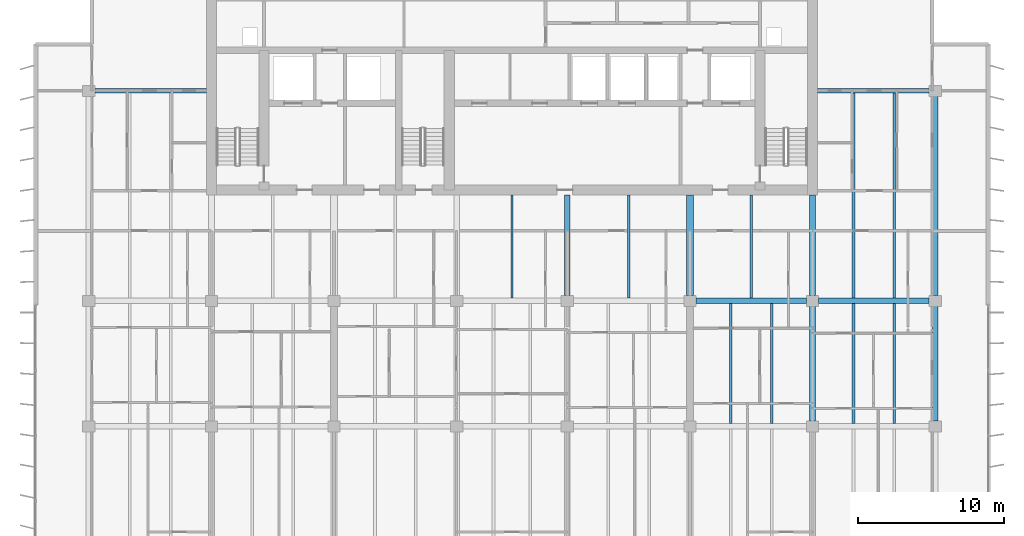
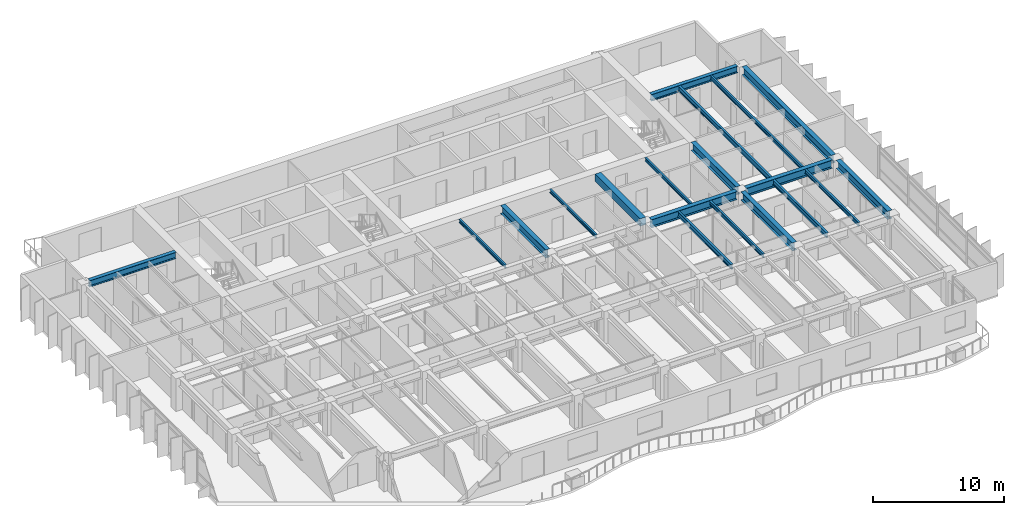
# One storey, part 5 of 19: 19 beams.
"""IFC4 building model written with IfcOpenShell, lengths in metres."""

from ifc_helpers import new_model, si_unit, direction, frame, origin, origin_2d, place, context, subcontext, project, spatial, rectangle, i_section, extrude, material, material_profile, profile_set, type_object, element, save


model = new_model("IFC4")

# Units and contexts
model_context = context("Model", 3, precision=1e-05, world=origin(), true_north=direction((0.0, 1.0)))
body_context = subcontext(model_context, "Body", "Model", "MODEL_VIEW")
ifc_project = project(units=[si_unit("LENGTHUNIT", "METRE"), si_unit("AREAUNIT", "SQUARE_METRE"), si_unit("VOLUMEUNIT", "CUBIC_METRE"), si_unit("PLANEANGLEUNIT", "RADIAN"), si_unit("MASSUNIT", "GRAM", prefix="KILO")], contexts=[model_context])

# Site, building, storey
site_placement = place(None, origin())
site = spatial("IfcSite", under=ifc_project, at=site_placement, CompositionType="ELEMENT")
building_placement = place(site_placement, origin())
building = spatial("IfcBuilding", under=site, at=building_placement, Name="Caelmar Bay Residences", CompositionType="ELEMENT")
storey_placement = place(building_placement, frame((0.0, 0.0, 160.5)))
storey = spatial("IfcBuildingStorey", under=building, at=storey_placement, Name="L44", CompositionType="ELEMENT", Elevation=160.5)

# Beams
ifc_material_1 = material(Name="Steel ASTM A992 Grade 50", Category="steel")
ifc_material_profile_1 = material_profile(ifc_material_1, i_section(OverallWidth=0.381103515625, OverallDepth=0.77197265625, WebThickness=0.0166015625, FlangeThickness=0.027099609375, FilletRadius=0.0166015625, at=origin_2d()), Name="W30X173")
ifc_profile_set_1 = profile_set([ifc_material_profile_1], Name="Steel ASTM A992 Grade 50")
beam_type_1 = type_object("IfcBeamType", Name="BM-GRD-W30X173", PredefinedType="BEAM", material=ifc_profile_set_1)
for number, where, z_axis, x_axis, name in (
    (1, (51.514892578125, 29.39990234375, 2.6640625), (1.0, 0.0, 0.0), (0.0, 1.0, 0.0), "L44 East-West Girder Y=29.40 (51.1-59.5)"),
    (2, (59.9150390625, 29.39990234375, 2.6640625), (1.0, 0.0, 0.0), (0.0, 1.0, 0.0), "L44 East-West Girder Y=29.40 (59.5-67.9)"),
):
    element("IfcBeam", number, at=place(storey_placement, frame(where, z_axis=z_axis, x_axis=x_axis)), inside=storey, type_object=beam_type_1, Name=name, PredefinedType="BEAM", context=body_context, shape_type="SweptSolid", body=[
        extrude(i_section(OverallWidth=0.381103515625, OverallDepth=0.77197265625, WebThickness=0.0166015625, FlangeThickness=0.027099609375, FilletRadius=0.0166015625, at=origin_2d()), origin(), (0.0, 0.0, 1.0), 7.570068359375),
    ])
for number, where, z_axis, x_axis, name in (
    (3, (42.699951171875, 29.764892578125, 2.6640625), (0.0, 1.0, 0.0), (-1.0, 0.0, 0.0), "L44 Core Tie Girder X=42.70"),
    (4, (59.5, 29.764892578125, 2.6640625), (0.0, 1.0, 0.0), (-1.0, 0.0, 0.0), "L44 Core Tie Girder X=59.50"),
):
    element("IfcBeam", number, at=place(storey_placement, frame(where, z_axis=z_axis, x_axis=x_axis)), inside=storey, type_object=beam_type_1, Name=name, PredefinedType="BEAM", context=body_context, shape_type="SweptSolid", body=[
        extrude(i_section(OverallWidth=0.381103515625, OverallDepth=0.77197265625, WebThickness=0.0166015625, FlangeThickness=0.027099609375, FilletRadius=0.0166015625, at=origin_2d()), origin(), (0.0, 0.0, 1.0), 6.885009765625),
    ])
for number, where, z_axis, x_axis, name in (
    (5, (59.5, 21.1650390625, 2.6640625), (0.0, 1.0, 0.0), (-1.0, 0.0, 0.0), "L44 North-South Girder X=59.50 (20.8-29.4)"),
    (6, (67.89990234375, 21.1650390625, 2.6640625), (0.0, 1.0, 0.0), (-1.0, 0.0, 0.0), "L44 North-South Girder X=67.90 (20.8-29.4)"),
):
    element("IfcBeam", number, at=place(storey_placement, frame(where, z_axis=z_axis, x_axis=x_axis)), inside=storey, type_object=beam_type_1, Name=name, PredefinedType="BEAM", context=body_context, shape_type="SweptSolid", body=[
        extrude(i_section(OverallWidth=0.381103515625, OverallDepth=0.77197265625, WebThickness=0.0166015625, FlangeThickness=0.027099609375, FilletRadius=0.0166015625, at=origin_2d()), origin(), (0.0, 0.0, 1.0), 7.869873046875),
    ])
beam_1_placement = place(storey_placement, frame((67.89990234375, 29.764892578125, 2.6640625), z_axis=(0.0, 1.0, 0.0), x_axis=(-1.0, 0.0, 0.0)))
element("IfcBeam", 7, at=beam_1_placement, inside=storey, type_object=beam_type_1, Name="L44 North-South Girder X=67.90 (29.4-43.8)", PredefinedType="BEAM", context=body_context, shape_type="SweptSolid", body=[
    extrude(i_section(OverallWidth=0.381103515625, OverallDepth=0.77197265625, WebThickness=0.0166015625, FlangeThickness=0.027099609375, FilletRadius=0.0166015625, at=origin_2d()), origin(), (0.0, 0.0, 1.0), 13.670166015625),
])
ifc_material_profile_2 = material_profile(ifc_material_1, i_section(OverallWidth=0.1650390625, OverallDepth=0.31005859375, WebThickness=0.005859375, FlangeThickness=0.009765625, FilletRadius=0.007568359375, at=origin_2d()), Name="W12X26")
ifc_profile_set_2 = profile_set([ifc_material_profile_2], Name="Steel ASTM A992 Grade 50")
beam_type_2 = type_object("IfcBeamType", Name="BM-JST-W12X26", PredefinedType="JOIST", material=ifc_profile_set_2)
for number, where, z_axis, x_axis, name in (
    (8, (38.89990234375, 29.590576171875, 2.89501953125), (0.0, 1.0, 0.0), (-1.0, 0.0, 0.0), "L44 Core-Band Composite Joist 31"),
    (9, (46.89990234375, 29.590576171875, 2.89501953125), (0.0, 1.0, 0.0), (-1.0, 0.0, 0.0), "L44 Core-Band Composite Joist 32"),
    (10, (55.300048828125, 29.590576171875, 2.89501953125), (0.0, 1.0, 0.0), (-1.0, 0.0, 0.0), "L44 Core-Band Composite Joist 33"),
):
    element("IfcBeam", number, at=place(storey_placement, frame(where, z_axis=z_axis, x_axis=x_axis)), inside=storey, type_object=beam_type_2, Name=name, PredefinedType="JOIST", context=body_context, shape_type="SweptSolid", body=[
        extrude(i_section(OverallWidth=0.1650390625, OverallDepth=0.31005859375, WebThickness=0.005859375, FlangeThickness=0.009765625, FilletRadius=0.007568359375, at=origin_2d()), origin(), (0.0, 0.0, 1.0), 7.059326171875),
    ])
ifc_material_profile_3 = material_profile(ifc_material_1, i_section(OverallWidth=0.1708984375, OverallDepth=0.35595703125, WebThickness=0.007080078125, FlangeThickness=0.01171875, FilletRadius=0.007568359375, at=origin_2d()), Name="W14X34")
ifc_profile_set_3 = profile_set([ifc_material_profile_3], Name="Steel ASTM A992 Grade 50")
beam_type_3 = type_object("IfcBeamType", Name="BM-JST-W14X34", PredefinedType="JOIST", material=ifc_profile_set_3)
for number, where, z_axis, x_axis, name in (
    (11, (56.699951171875, 20.990478515625, 2.8720703125), (0.0, 1.0, 0.0), (-1.0, 0.0, 0.0), "L44 Composite Floor Joist 26"),
    (12, (65.10009765625, 20.990478515625, 2.8720703125), (0.0, 1.0, 0.0), (-1.0, 0.0, 0.0), "L44 Composite Floor Joist 28"),
):
    element("IfcBeam", number, at=place(storey_placement, frame(where, z_axis=z_axis, x_axis=x_axis)), inside=storey, type_object=beam_type_3, Name=name, PredefinedType="JOIST", context=body_context, shape_type="SweptSolid", body=[
        extrude(i_section(OverallWidth=0.1708984375, OverallDepth=0.35595703125, WebThickness=0.007080078125, FlangeThickness=0.01171875, FilletRadius=0.007568359375, at=origin_2d()), origin(), (0.0, 0.0, 1.0), 8.218994140625),
    ])
beam_2_placement = place(storey_placement, frame((65.10009765625, 29.590576171875, 2.8720703125), z_axis=(0.0, 1.0, 0.0), x_axis=(-1.0, 0.0, 0.0)))
element("IfcBeam", 13, at=beam_2_placement, inside=storey, type_object=beam_type_3, Name="L44 Composite Floor Joist 37", PredefinedType="JOIST", context=body_context, shape_type="SweptSolid", body=[
    extrude(i_section(OverallWidth=0.1708984375, OverallDepth=0.35595703125, WebThickness=0.007080078125, FlangeThickness=0.01171875, FilletRadius=0.007568359375, at=origin_2d()), origin(), (0.0, 0.0, 1.0), 14.046875),
])
ifc_material_profile_4 = material_profile(ifc_material_1, i_section(OverallWidth=0.19091796875, OverallDepth=0.45703125, WebThickness=0.009033203125, FlangeThickness=0.014404296875, FilletRadius=0.01025390625, at=origin_2d()), Name="W18X50")
ifc_profile_set_4 = profile_set([ifc_material_profile_4], Name="Steel ASTM A992 Grade 50")
beam_type_4 = type_object("IfcBeamType", Name="BM-JST-W18X50", PredefinedType="JOIST", material=ifc_profile_set_4)
for number, where, z_axis, x_axis, name in (
    (14, (53.89990234375, 20.990478515625, 2.821533203125), (0.0, 1.0, 0.0), (-1.0, 0.0, 0.0), "L44 Composite Floor Joist 25"),
    (15, (62.300048828125, 20.990478515625, 2.821533203125), (0.0, 1.0, 0.0), (-1.0, 0.0, 0.0), "L44 Composite Floor Joist 27"),
):
    element("IfcBeam", number, at=place(storey_placement, frame(where, z_axis=z_axis, x_axis=x_axis)), inside=storey, type_object=beam_type_4, Name=name, PredefinedType="JOIST", context=body_context, shape_type="SweptSolid", body=[
        extrude(i_section(OverallWidth=0.19091796875, OverallDepth=0.45703125, WebThickness=0.009033203125, FlangeThickness=0.014404296875, FilletRadius=0.01025390625, at=origin_2d()), origin(), (0.0, 0.0, 1.0), 8.218994140625),
    ])
beam_3_placement = place(storey_placement, frame((62.300048828125, 29.590576171875, 2.821533203125), z_axis=(0.0, 1.0, 0.0), x_axis=(-1.0, 0.0, 0.0)))
element("IfcBeam", 16, at=beam_3_placement, inside=storey, type_object=beam_type_4, Name="L44 Composite Floor Joist 36", PredefinedType="JOIST", context=body_context, shape_type="SweptSolid", body=[
    extrude(i_section(OverallWidth=0.19091796875, OverallDepth=0.45703125, WebThickness=0.009033203125, FlangeThickness=0.014404296875, FilletRadius=0.01025390625, at=origin_2d()), origin(), (0.0, 0.0, 1.0), 14.046875),
])
ifc_material_2 = material(Name="Concrete f'c 55 MPa (8,000 psi)", Category="concrete")
ifc_material_profile_5 = material_profile(ifc_material_2, rectangle(XDim=0.5, YDim=0.699951171875, at=origin_2d()), Name="RC-BM-500X700")
ifc_profile_set_5 = profile_set([ifc_material_profile_5], Name="Concrete f'c 55 MPa (8,000 psi)")
beam_type_5 = type_object("IfcBeamType", Name="BM-RC-500X700", PredefinedType="LINTEL", material=ifc_profile_set_5)
beam_4_placement = place(storey_placement, frame((51.10009765625, 29.764892578125, 2.699951171875), z_axis=(0.0, 1.0, 0.0), x_axis=(-1.0, 0.0, 0.0)))
element("IfcBeam", 17, at=beam_4_placement, inside=storey, type_object=beam_type_5, Name="L44 Shear-Wall Corridor Coupling Lintel E8", PredefinedType="LINTEL", context=body_context, shape_type="SweptSolid", body=[
    extrude(rectangle(XDim=0.5, YDim=0.699951171875, at=origin_2d()), origin(), (0.0, 0.0, 1.0), 6.885009765625),
])
ifc_material_profile_6 = material_profile(ifc_material_1, i_section(OverallWidth=0.324951171875, OverallDepth=0.616943359375, WebThickness=0.013916015625, FlangeThickness=0.021484375, FilletRadius=0.0126953125, at=origin_2d()), Name="W24X117")
ifc_profile_set_6 = profile_set([ifc_material_profile_6], Name="Steel ASTM A992 Grade 50")
beam_type_6 = type_object("IfcBeamType", Name="BM-SPN-W24X117", PredefinedType="SPANDREL", material=ifc_profile_set_6)
for number, where, z_axis, x_axis, name in (
    (18, (10.31494140625, 43.800048828125, 2.741455078125), (1.0, 0.0, 0.0), (0.0, 1.0, 0.0), "L44 North-West Wing Core Tie Girder"),
    (19, (59.85009765625, 43.800048828125, 2.741455078125), (1.0, 0.0, 0.0), (0.0, 1.0, 0.0), "L44 North-East Wing Core Tie Girder"),
):
    element("IfcBeam", number, at=place(storey_placement, frame(where, z_axis=z_axis, x_axis=x_axis)), inside=storey, type_object=beam_type_6, Name=name, PredefinedType="SPANDREL", context=body_context, shape_type="SweptSolid", body=[
        extrude(i_section(OverallWidth=0.324951171875, OverallDepth=0.616943359375, WebThickness=0.013916015625, FlangeThickness=0.021484375, FilletRadius=0.0126953125, at=origin_2d()), origin(), (0.0, 0.0, 1.0), 7.635009765625),
    ])

save(model, "model.ifc")
